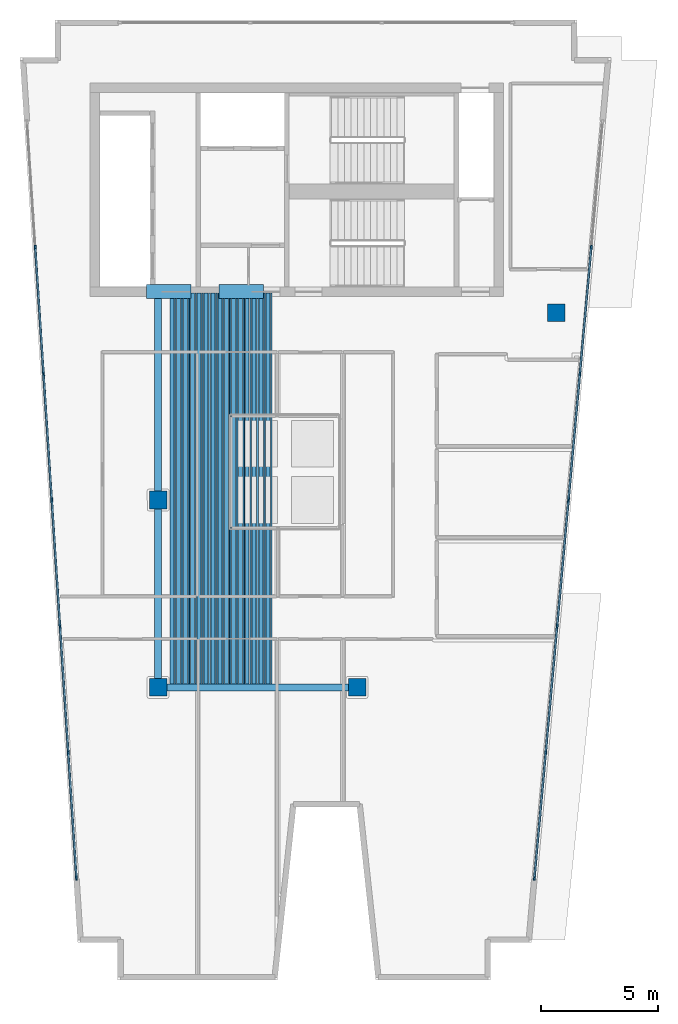
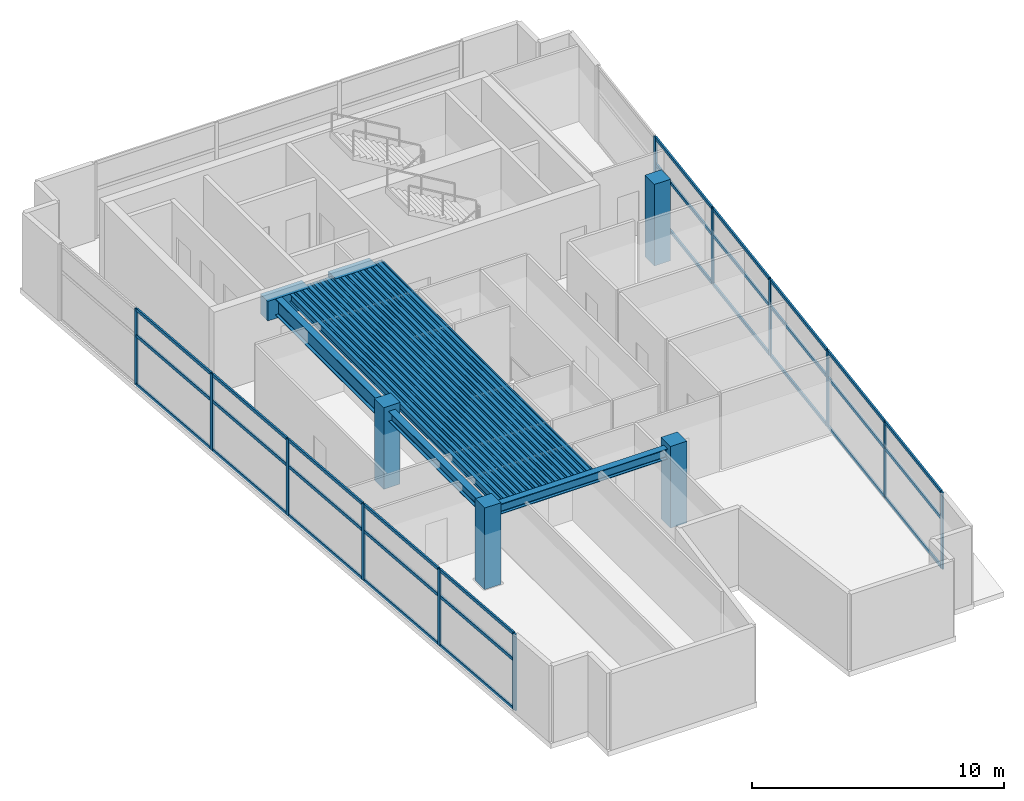
# One storey, part 1 of 7: 42 members, 35 beams, 4 columns, 2 elements without a shape of their own.
"""IFC4 building model written with IfcOpenShell, lengths in metres."""

from ifc_helpers import new_model, si_unit, direction, frame, origin, origin_2d, place, context, subcontext, project, spatial, rectangle, hollow_rectangle, i_section, extrude, material, layer, layer_set, material_profile, profile_set, type_object, element, aggregate, save


model = new_model("IFC4")

# Units and contexts
model_context = context("Model", 3, precision=1e-05, world=origin(), true_north=direction((0.0, 1.0)))
body_context = subcontext(model_context, "Body", "Model", "MODEL_VIEW")
ifc_project = project(units=[si_unit("LENGTHUNIT", "METRE"), si_unit("AREAUNIT", "SQUARE_METRE"), si_unit("VOLUMEUNIT", "CUBIC_METRE"), si_unit("PLANEANGLEUNIT", "RADIAN"), si_unit("MASSUNIT", "GRAM", prefix="KILO")], contexts=[model_context])

# Site, building, storey
site_placement = place(None, origin())
site = spatial("IfcSite", under=ifc_project, at=site_placement, CompositionType="ELEMENT")
building_placement = place(site_placement, origin())
building = spatial("IfcBuilding", under=site, at=building_placement, Name="Caeloran Harvest Quay", CompositionType="ELEMENT")
storey_placement = place(building_placement, frame((0.0, 0.0, 300.14990234375)))
storey = spatial("IfcBuildingStorey", under=building, at=storey_placement, Name="L72", CompositionType="ELEMENT", Elevation=300.14990234375)

# Columns
ifc_material_1 = material(Name="Concrete C60/75", Category="concrete")
ifc_material_profile_1 = material_profile(ifc_material_1, rectangle(XDim=0.75, YDim=0.75, at=origin_2d()), Name="RC 750x750")
ifc_profile_set_1 = profile_set([ifc_material_profile_1], Name="Concrete C60/75")
column_type = type_object("IfcColumnType", Name="COL-MC-5-RC_750x750", PredefinedType="COLUMN", material=ifc_profile_set_1)
for number, where, z_axis, x_axis, name in (
    (1, (8.5, 15.0, 0.0), (0.0, 0.0, 1.0), (1.0, 0.0, 0.0), "L72 Structural Column (8.5, 15.0)"),
    (2, (8.5, 23.0, 0.0), (0.0, 0.0, 1.0), (1.0, 0.0, 0.0), "L72 Structural Column (8.5, 23.0)"),
    (3, (17.0, 15.0, 0.0), (0.0, 0.0, 1.0), (1.0, 0.0, 0.0), "L72 Structural Column (17.0, 15.0)"),
    (4, (25.5, 31.0, 0.0), (0.0, 0.0, 1.0), (1.0, 0.0, 0.0), "L72 Structural Column (25.5, 31.0)"),
):
    element("IfcColumn", number, at=place(storey_placement, frame(where, z_axis=z_axis, x_axis=x_axis)), inside=storey, type_object=column_type, Name=name, PredefinedType="COLUMN", context=body_context, shape_type="SweptSolid", body=[
        extrude(rectangle(XDim=0.75, YDim=0.75, at=origin_2d()), origin(), (0.0, 0.0, 1.0), 3.9501953125),
    ])

# Beams
ifc_material_profile_2 = material_profile(ifc_material_1, rectangle(XDim=0.60009765625, YDim=0.949951171875, at=origin_2d()), Name="RC 600x950")
ifc_profile_set_2 = profile_set([ifc_material_profile_2], Name="Concrete C60/75")
beam_type_1 = type_object("IfcBeamType", Name="BM-CB-2-RC_600x950", PredefinedType="LINTEL", material=ifc_profile_set_2)
for number, where, z_axis, x_axis, name in (
    (5, (8.0, 31.89990234375, 3.22509765625), (1.0, 0.0, 0.0), (0.0, 1.0, 0.0), "L72 Core Coupling Beam 1"),
    (6, (11.10009765625, 31.89990234375, 3.22509765625), (1.0, 0.0, 0.0), (0.0, 1.0, 0.0), "L72 Core Coupling Beam 2"),
):
    element("IfcBeam", number, at=place(storey_placement, frame(where, z_axis=z_axis, x_axis=x_axis)), inside=storey, type_object=beam_type_1, Name=name, PredefinedType="LINTEL", context=body_context, shape_type="SweptSolid", body=[
        extrude(rectangle(XDim=0.60009765625, YDim=0.949951171875, at=origin_2d()), origin(), (0.0, 0.0, 1.0), 1.89990234375),
    ])
ifc_material_2 = material(Name="Steel S355J2", Category="steel")
ifc_material_profile_3 = material_profile(ifc_material_2, i_section(OverallWidth=0.300048828125, OverallDepth=0.800048828125, WebThickness=0.017578125, FlangeThickness=0.032958984375, FilletRadius=0.030029296875, at=origin_2d()), Name="HE 800 B")
ifc_profile_set_3 = profile_set([ifc_material_profile_3], Name="Steel S355J2")
beam_type_2 = type_object("IfcBeamType", Name="BM-PG-1-HE_800_B", PredefinedType="BEAM", material=ifc_profile_set_3)
beam_1_placement = place(storey_placement, frame((8.5, 23.0, 3.300048828125), z_axis=(0.0, 1.0, 0.0), x_axis=(-1.0, 0.0, 0.0)))
element("IfcBeam", 7, at=beam_1_placement, inside=storey, type_object=beam_type_2, Name="L72 Core South Tie Girder X=8.5", PredefinedType="BEAM", context=body_context, shape_type="SweptSolid", body=[
    extrude(i_section(OverallWidth=0.300048828125, OverallDepth=0.800048828125, WebThickness=0.017578125, FlangeThickness=0.032958984375, FilletRadius=0.030029296875, at=origin_2d()), origin(), (0.0, 0.0, 1.0), 8.85009765625),
])
ifc_material_profile_4 = material_profile(ifc_material_2, i_section(OverallWidth=0.300048828125, OverallDepth=0.5, WebThickness=0.014404296875, FlangeThickness=0.028076171875, FilletRadius=0.027099609375, at=origin_2d()), Name="HE 500 B")
ifc_profile_set_4 = profile_set([ifc_material_profile_4], Name="Steel S355J2")
beam_type_3 = type_object("IfcBeamType", Name="BM-PG-4-HE_500_B", PredefinedType="BEAM", material=ifc_profile_set_4)
beam_2_placement = place(storey_placement, frame((8.5, 15.0, 3.4501953125), z_axis=(1.0, 0.0, 0.0), x_axis=(0.0, 1.0, 0.0)))
element("IfcBeam", 8, at=beam_2_placement, inside=storey, type_object=beam_type_3, Name="L72 Primary East-West Girder Y=15.0", PredefinedType="BEAM", context=body_context, shape_type="SweptSolid", body=[
    extrude(i_section(OverallWidth=0.300048828125, OverallDepth=0.5, WebThickness=0.014404296875, FlangeThickness=0.028076171875, FilletRadius=0.027099609375, at=origin_2d()), origin(), (0.0, 0.0, 1.0), 8.5),
])
beam_3_placement = place(storey_placement, frame((8.5, 15.0, 3.4501953125), z_axis=(0.0, 1.0, 0.0), x_axis=(-1.0, 0.0, 0.0)))
element("IfcBeam", 9, at=beam_3_placement, inside=storey, type_object=beam_type_3, Name="L72 Primary North-South Girder X=8.5", PredefinedType="BEAM", context=body_context, shape_type="SweptSolid", body=[
    extrude(i_section(OverallWidth=0.300048828125, OverallDepth=0.5, WebThickness=0.014404296875, FlangeThickness=0.028076171875, FilletRadius=0.027099609375, at=origin_2d()), origin(), (0.0, 0.0, 1.0), 8.0),
])
ifc_material_profile_5 = material_profile(ifc_material_2, i_section(OverallWidth=0.169921875, OverallDepth=0.360107421875, WebThickness=0.008056640625, FlangeThickness=0.0126953125, FilletRadius=0.01806640625, at=origin_2d()), Name="IPE 360")
ifc_profile_set_5 = profile_set([ifc_material_profile_5], Name="Steel S355J2")
beam_type_4 = type_object("IfcBeamType", Name="BM-SB-5-IPE_360", PredefinedType="JOIST", material=ifc_profile_set_5)
for number, where, z_axis, x_axis, name in (
    (10, (9.086181640625, 15.14501953125, 3.52001953125), (0.0, 1.0, 0.0), (-1.0, 0.0, 0.0), "L72 Secondary Composite Joist"),
    (11, (9.37939453125, 15.14501953125, 3.52001953125), (0.0, 1.0, 0.0), (-1.0, 0.0, 0.0), "L72 Secondary Composite Joist"),
    (12, (9.67236328125, 15.14501953125, 3.52001953125), (0.0, 1.0, 0.0), (-1.0, 0.0, 0.0), "L72 Secondary Composite Joist"),
    (13, (9.965576171875, 15.14501953125, 3.52001953125), (0.0, 1.0, 0.0), (-1.0, 0.0, 0.0), "L72 Secondary Composite Joist"),
    (14, (10.258544921875, 15.14501953125, 3.52001953125), (0.0, 1.0, 0.0), (-1.0, 0.0, 0.0), "L72 Secondary Composite Joist"),
    (15, (10.5517578125, 15.14501953125, 3.52001953125), (0.0, 1.0, 0.0), (-1.0, 0.0, 0.0), "L72 Secondary Composite Joist"),
    (16, (10.8447265625, 15.14501953125, 3.52001953125), (0.0, 1.0, 0.0), (-1.0, 0.0, 0.0), "L72 Secondary Composite Joist"),
    (17, (11.137939453125, 15.14501953125, 3.52001953125), (0.0, 1.0, 0.0), (-1.0, 0.0, 0.0), "L72 Secondary Composite Joist"),
    (18, (11.430908203125, 15.14501953125, 3.52001953125), (0.0, 1.0, 0.0), (-1.0, 0.0, 0.0), "L72 Secondary Composite Joist"),
    (19, (11.72412109375, 15.14501953125, 3.52001953125), (0.0, 1.0, 0.0), (-1.0, 0.0, 0.0), "L72 Secondary Composite Joist"),
    (20, (12.01708984375, 15.14501953125, 3.52001953125), (0.0, 1.0, 0.0), (-1.0, 0.0, 0.0), "L72 Secondary Composite Joist"),
    (21, (12.310302734375, 15.14501953125, 3.52001953125), (0.0, 1.0, 0.0), (-1.0, 0.0, 0.0), "L72 Secondary Composite Joist"),
    (22, (12.603515625, 15.14501953125, 3.52001953125), (0.0, 1.0, 0.0), (-1.0, 0.0, 0.0), "L72 Secondary Composite Joist"),
    (23, (12.896484375, 15.14501953125, 3.52001953125), (0.0, 1.0, 0.0), (-1.0, 0.0, 0.0), "L72 Secondary Composite Joist"),
    (24, (13.189697265625, 15.14501953125, 3.52001953125), (0.0, 1.0, 0.0), (-1.0, 0.0, 0.0), "L72 Secondary Composite Joist"),
):
    element("IfcBeam", number, at=place(storey_placement, frame(where, z_axis=z_axis, x_axis=x_axis)), inside=storey, type_object=beam_type_4, Name=name, PredefinedType="JOIST", context=body_context, shape_type="SweptSolid", body=[
        extrude(i_section(OverallWidth=0.169921875, OverallDepth=0.360107421875, WebThickness=0.008056640625, FlangeThickness=0.0126953125, FilletRadius=0.01806640625, at=origin_2d()), origin(), (0.0, 0.0, 1.0), 16.705078125),
    ])
ifc_material_profile_6 = material_profile(ifc_material_2, hollow_rectangle(XDim=0.080078125, YDim=0.199951171875, WallThickness=0.006103515625, InnerFilletRadius=0.006103515625, OuterFilletRadius=0.009033203125, at=origin_2d()), Name="RHS 200x80x6")
ifc_profile_set_6 = profile_set([ifc_material_profile_6], Name="Steel S355J2")
beam_type_5 = type_object("IfcBeamType", Name="BM-SB-7-RHS_200x80x6", PredefinedType="JOIST", material=ifc_profile_set_6)
for number, where, z_axis, x_axis, name in (
    (25, (9.23291015625, 15.14501953125, 3.60009765625), (0.0, 1.0, 0.0), (-1.0, 0.0, 0.0), "L72 Secondary Composite Joist"),
    (26, (9.52587890625, 15.14501953125, 3.60009765625), (0.0, 1.0, 0.0), (-1.0, 0.0, 0.0), "L72 Secondary Composite Joist"),
    (27, (9.819091796875, 15.14501953125, 3.60009765625), (0.0, 1.0, 0.0), (-1.0, 0.0, 0.0), "L72 Secondary Composite Joist"),
    (28, (10.112060546875, 15.14501953125, 3.60009765625), (0.0, 1.0, 0.0), (-1.0, 0.0, 0.0), "L72 Secondary Composite Joist"),
    (29, (10.4052734375, 15.14501953125, 3.60009765625), (0.0, 1.0, 0.0), (-1.0, 0.0, 0.0), "L72 Secondary Composite Joist"),
    (30, (10.6982421875, 15.14501953125, 3.60009765625), (0.0, 1.0, 0.0), (-1.0, 0.0, 0.0), "L72 Secondary Composite Joist"),
    (31, (10.991455078125, 15.14501953125, 3.60009765625), (0.0, 1.0, 0.0), (-1.0, 0.0, 0.0), "L72 Secondary Composite Joist"),
    (32, (11.284423828125, 15.14501953125, 3.60009765625), (0.0, 1.0, 0.0), (-1.0, 0.0, 0.0), "L72 Secondary Composite Joist"),
    (33, (11.57763671875, 15.14501953125, 3.60009765625), (0.0, 1.0, 0.0), (-1.0, 0.0, 0.0), "L72 Secondary Composite Joist"),
    (34, (11.87060546875, 15.14501953125, 3.60009765625), (0.0, 1.0, 0.0), (-1.0, 0.0, 0.0), "L72 Secondary Composite Joist"),
    (35, (12.163818359375, 15.14501953125, 3.60009765625), (0.0, 1.0, 0.0), (-1.0, 0.0, 0.0), "L72 Secondary Composite Joist"),
    (36, (12.456787109375, 15.14501953125, 3.60009765625), (0.0, 1.0, 0.0), (-1.0, 0.0, 0.0), "L72 Secondary Composite Joist"),
    (37, (12.75, 15.14501953125, 3.60009765625), (0.0, 1.0, 0.0), (-1.0, 0.0, 0.0), "L72 Secondary Composite Joist"),
    (38, (13.043212890625, 15.14501953125, 3.60009765625), (0.0, 1.0, 0.0), (-1.0, 0.0, 0.0), "L72 Secondary Composite Joist"),
    (39, (13.336181640625, 15.14501953125, 3.60009765625), (0.0, 1.0, 0.0), (-1.0, 0.0, 0.0), "L72 Secondary Composite Joist"),
):
    element("IfcBeam", number, at=place(storey_placement, frame(where, z_axis=z_axis, x_axis=x_axis)), inside=storey, type_object=beam_type_5, Name=name, PredefinedType="JOIST", context=body_context, shape_type="SweptSolid", body=[
        extrude(hollow_rectangle(XDim=0.080078125, YDim=0.199951171875, WallThickness=0.006103515625, InnerFilletRadius=0.006103515625, OuterFilletRadius=0.009033203125, at=origin_2d()), origin(), (0.0, 0.0, 1.0), 16.705078125),
    ])

# Curtain wall, members
ifc_material_3 = material(Name="Aluminium 6063-T6 and Low-E Glazing", Category="aluminium")
ifc_layer = layer(ifc_material_3, 0.239990234375, Name="Aluminium 6063-T6 and Low-E Glazing")
ifc_layer_set = layer_set([ifc_layer], Name="Aluminium 6063-T6 and Low-E Glazing")
curtain_wall_type = type_object("IfcCurtainWallType", Name="CW-SYS-CW-7", PredefinedType="USERDEFINED", material=ifc_layer_set)
curtain_wall_1_placement = place(storey_placement, origin())
curtain_wall_1 = element("IfcCurtainWall", 40, at=curtain_wall_1_placement, inside=storey, type_object=curtain_wall_type, Name="L72 Unitised Curtain Wall CW-7 Run 3", ObjectType="CURTAIN_WALL", PredefinedType="USERDEFINED")
ifc_material_4 = material(Name="Aluminium 6063-T6", Category="aluminium")
ifc_material_profile_7 = material_profile(ifc_material_4, rectangle(XDim=0.080078125, YDim=0.179931640625, at=origin_2d()), Name="CW-MULLION-180")
ifc_profile_set_7 = profile_set([ifc_material_profile_7], Name="Aluminium 6063-T6")
member_type_1 = type_object("IfcMemberType", Name="CW-MULLION-180", PredefinedType="MULLION", material=ifc_profile_set_7)
member_1_placement = place(storey_placement, frame((5.013427734375, 6.8544921875, 0.0), z_axis=(0.0, 0.0, 1.0), x_axis=(-0.997874401106, -0.065166552901, 0.0)))
member_1 = element("IfcMember", 41, at=member_1_placement, type_object=member_type_1, Name="CW-7 mullion 1", PredefinedType="MULLION", context=body_context, shape_type="SweptSolid", body=[
    extrude(rectangle(XDim=0.080078125, YDim=0.179931640625, at=origin_2d()), origin(), (0.0, 0.0, 1.0), 3.7001953125),
])
member_2_placement = place(storey_placement, frame((4.66357421875, 12.209716796875, 0.0), z_axis=(0.0, 0.0, 1.0), x_axis=(-0.997874401106, -0.065166552901, 0.0)))
member_2 = element("IfcMember", 42, at=member_2_placement, type_object=member_type_1, Name="CW-7 mullion 2", PredefinedType="MULLION", context=body_context, shape_type="SweptSolid", body=[
    extrude(rectangle(XDim=0.080078125, YDim=0.179931640625, at=origin_2d()), origin(), (0.0, 0.0, 1.0), 3.7001953125),
])
member_3_placement = place(storey_placement, frame((4.311279296875, 17.604736328125, 0.0), z_axis=(0.0, 0.0, 1.0), x_axis=(-0.997874401106, -0.065166552901, 0.0)))
member_3 = element("IfcMember", 43, at=member_3_placement, type_object=member_type_1, Name="CW-7 mullion 3", PredefinedType="MULLION", context=body_context, shape_type="SweptSolid", body=[
    extrude(rectangle(XDim=0.080078125, YDim=0.179931640625, at=origin_2d()), origin(), (0.0, 0.0, 1.0), 3.7001953125),
])
member_4_placement = place(storey_placement, frame((3.958984375, 23.0, 0.0), z_axis=(0.0, 0.0, 1.0), x_axis=(-0.997874401106, -0.065166552901, 0.0)))
member_4 = element("IfcMember", 44, at=member_4_placement, type_object=member_type_1, Name="CW-7 mullion 4", PredefinedType="MULLION", context=body_context, shape_type="SweptSolid", body=[
    extrude(rectangle(XDim=0.080078125, YDim=0.179931640625, at=origin_2d()), origin(), (0.0, 0.0, 1.0), 3.7001953125),
])
member_5_placement = place(storey_placement, frame((3.606689453125, 28.395263671875, 0.0), z_axis=(0.0, 0.0, 1.0), x_axis=(-0.997874401106, -0.065166552901, 0.0)))
member_5 = element("IfcMember", 45, at=member_5_placement, type_object=member_type_1, Name="CW-7 mullion 5", PredefinedType="MULLION", context=body_context, shape_type="SweptSolid", body=[
    extrude(rectangle(XDim=0.080078125, YDim=0.179931640625, at=origin_2d()), origin(), (0.0, 0.0, 1.0), 3.7001953125),
])
member_6_placement = place(storey_placement, frame((3.25439453125, 33.790283203125, 0.0), z_axis=(0.0, 0.0, 1.0), x_axis=(-0.997874401106, -0.065166552901, 0.0)))
member_6 = element("IfcMember", 46, at=member_6_placement, type_object=member_type_1, Name="CW-7 mullion 6", PredefinedType="MULLION", context=body_context, shape_type="SweptSolid", body=[
    extrude(rectangle(XDim=0.080078125, YDim=0.179931640625, at=origin_2d()), origin(), (0.0, 0.0, 1.0), 3.7001953125),
])

curtain_wall_2_placement = place(storey_placement, origin())
curtain_wall_2 = element("IfcCurtainWall", 47, at=curtain_wall_2_placement, inside=storey, type_object=curtain_wall_type, Name="L72 Unitised Curtain Wall CW-7 Run 9", ObjectType="CURTAIN_WALL", PredefinedType="USERDEFINED")
member_7_placement = place(storey_placement, frame((27.004150390625, 33.793701171875, 0.0), z_axis=(0.0, 0.0, 1.0), x_axis=(0.995957918918, -0.089821065146, 0.0)))
member_7 = element("IfcMember", 48, at=member_7_placement, type_object=member_type_1, Name="CW-7 mullion 2", PredefinedType="MULLION", context=body_context, shape_type="SweptSolid", body=[
    extrude(rectangle(XDim=0.080078125, YDim=0.179931640625, at=origin_2d()), origin(), (0.0, 0.0, 1.0), 3.7001953125),
])
member_8_placement = place(storey_placement, frame((26.517578125, 28.396728515625, 0.0), z_axis=(0.0, 0.0, 1.0), x_axis=(0.995957918918, -0.089821065146, 0.0)))
member_8 = element("IfcMember", 49, at=member_8_placement, type_object=member_type_1, Name="CW-7 mullion 3", PredefinedType="MULLION", context=body_context, shape_type="SweptSolid", body=[
    extrude(rectangle(XDim=0.080078125, YDim=0.179931640625, at=origin_2d()), origin(), (0.0, 0.0, 1.0), 3.7001953125),
])
member_9_placement = place(storey_placement, frame((26.03076171875, 23.0, 0.0), z_axis=(0.0, 0.0, 1.0), x_axis=(0.995957918918, -0.089821065146, 0.0)))
member_9 = element("IfcMember", 50, at=member_9_placement, type_object=member_type_1, Name="CW-7 mullion 4", PredefinedType="MULLION", context=body_context, shape_type="SweptSolid", body=[
    extrude(rectangle(XDim=0.080078125, YDim=0.179931640625, at=origin_2d()), origin(), (0.0, 0.0, 1.0), 3.7001953125),
])
member_10_placement = place(storey_placement, frame((25.5439453125, 17.603271484375, 0.0), z_axis=(0.0, 0.0, 1.0), x_axis=(0.995957918918, -0.089821065146, 0.0)))
member_10 = element("IfcMember", 51, at=member_10_placement, type_object=member_type_1, Name="CW-7 mullion 5", PredefinedType="MULLION", context=body_context, shape_type="SweptSolid", body=[
    extrude(rectangle(XDim=0.080078125, YDim=0.179931640625, at=origin_2d()), origin(), (0.0, 0.0, 1.0), 3.7001953125),
])
member_11_placement = place(storey_placement, frame((25.057373046875, 12.206298828125, 0.0), z_axis=(0.0, 0.0, 1.0), x_axis=(0.995957918918, -0.089821065146, 0.0)))
member_11 = element("IfcMember", 52, at=member_11_placement, type_object=member_type_1, Name="CW-7 mullion 6", PredefinedType="MULLION", context=body_context, shape_type="SweptSolid", body=[
    extrude(rectangle(XDim=0.080078125, YDim=0.179931640625, at=origin_2d()), origin(), (0.0, 0.0, 1.0), 3.7001953125),
])
member_12_placement = place(storey_placement, frame((24.57421875, 6.849365234375, 0.0), z_axis=(0.0, 0.0, 1.0), x_axis=(0.995957918918, -0.089821065146, 0.0)))
member_12 = element("IfcMember", 53, at=member_12_placement, type_object=member_type_1, Name="CW-7 mullion 7", PredefinedType="MULLION", context=body_context, shape_type="SweptSolid", body=[
    extrude(rectangle(XDim=0.080078125, YDim=0.179931640625, at=origin_2d()), origin(), (0.0, 0.0, 1.0), 3.7001953125),
])

# Member
ifc_material_profile_8 = material_profile(ifc_material_4, rectangle(XDim=0.080078125, YDim=0.14990234375, at=origin_2d()), Name="CW-TRANSOM-150")
ifc_profile_set_8 = profile_set([ifc_material_profile_8], Name="Aluminium 6063-T6")
member_type_2 = type_object("IfcMemberType", Name="CW-TRANSOM-150", PredefinedType="USERDEFINED", material=ifc_profile_set_8)
member_13_placement = place(storey_placement, frame((5.0107421875, 6.894287109375, 0.0400390625), z_axis=(-0.065161110765, 0.997874756492, 0.0), x_axis=(-0.997874756492, -0.065161110765, 0.0)))
member_13 = element("IfcMember", 54, at=member_13_placement, type_object=member_type_2, Name="CW-7 transom 1.1", ObjectType="TRANSOM", PredefinedType="USERDEFINED", context=body_context, shape_type="SweptSolid", body=[
    extrude(rectangle(XDim=0.080078125, YDim=0.14990234375, at=origin_2d()), origin(), (0.0, 0.0, 1.0), 5.28662109375),
])

member_14_placement = place(storey_placement, frame((5.0107421875, 6.894287109375, 2.400146484375), z_axis=(-0.065161110765, 0.997874756492, 0.0), x_axis=(-0.997874756492, -0.065161110765, 0.0)))
member_14 = element("IfcMember", 55, at=member_14_placement, type_object=member_type_2, Name="CW-7 transom 1.2", ObjectType="TRANSOM", PredefinedType="USERDEFINED", context=body_context, shape_type="SweptSolid", body=[
    extrude(rectangle(XDim=0.080078125, YDim=0.14990234375, at=origin_2d()), origin(), (0.0, 0.0, 1.0), 5.28662109375),
])

member_15_placement = place(storey_placement, frame((5.0107421875, 6.894287109375, 3.66015625), z_axis=(-0.065161110765, 0.997874756492, 0.0), x_axis=(-0.997874756492, -0.065161110765, 0.0)))
member_15 = element("IfcMember", 56, at=member_15_placement, type_object=member_type_2, Name="CW-7 transom 1.3", ObjectType="TRANSOM", PredefinedType="USERDEFINED", context=body_context, shape_type="SweptSolid", body=[
    extrude(rectangle(XDim=0.080078125, YDim=0.14990234375, at=origin_2d()), origin(), (0.0, 0.0, 1.0), 5.28662109375),
])

member_16_placement = place(storey_placement, frame((4.6611328125, 12.24951171875, 0.0400390625), z_axis=(-0.065174383207, 0.997873889714, 0.0), x_axis=(-0.997873889714, -0.065174383207, 0.0)))
member_16 = element("IfcMember", 57, at=member_16_placement, type_object=member_type_2, Name="CW-7 transom 2.1", ObjectType="TRANSOM", PredefinedType="USERDEFINED", context=body_context, shape_type="SweptSolid", body=[
    extrude(rectangle(XDim=0.080078125, YDim=0.14990234375, at=origin_2d()), origin(), (0.0, 0.0, 1.0), 5.32666015625),
])

member_17_placement = place(storey_placement, frame((4.6611328125, 12.24951171875, 2.400146484375), z_axis=(-0.065174383207, 0.997873889714, 0.0), x_axis=(-0.997873889714, -0.065174383207, 0.0)))
member_17 = element("IfcMember", 58, at=member_17_placement, type_object=member_type_2, Name="CW-7 transom 2.2", ObjectType="TRANSOM", PredefinedType="USERDEFINED", context=body_context, shape_type="SweptSolid", body=[
    extrude(rectangle(XDim=0.080078125, YDim=0.14990234375, at=origin_2d()), origin(), (0.0, 0.0, 1.0), 5.32666015625),
])

member_18_placement = place(storey_placement, frame((4.6611328125, 12.24951171875, 3.66015625), z_axis=(-0.065174383207, 0.997873889714, 0.0), x_axis=(-0.997873889714, -0.065174383207, 0.0)))
member_18 = element("IfcMember", 59, at=member_18_placement, type_object=member_type_2, Name="CW-7 transom 2.3", ObjectType="TRANSOM", PredefinedType="USERDEFINED", context=body_context, shape_type="SweptSolid", body=[
    extrude(rectangle(XDim=0.080078125, YDim=0.14990234375, at=origin_2d()), origin(), (0.0, 0.0, 1.0), 5.32666015625),
])

member_19_placement = place(storey_placement, frame((4.308837890625, 17.644775390625, 0.0400390625), z_axis=(-0.065174383207, 0.997873889714, 0.0), x_axis=(-0.997873889714, -0.065174383207, 0.0)))
member_19 = element("IfcMember", 60, at=member_19_placement, type_object=member_type_2, Name="CW-7 transom 3.1", ObjectType="TRANSOM", PredefinedType="USERDEFINED", context=body_context, shape_type="SweptSolid", body=[
    extrude(rectangle(XDim=0.080078125, YDim=0.14990234375, at=origin_2d()), origin(), (0.0, 0.0, 1.0), 5.32666015625),
])

member_20_placement = place(storey_placement, frame((4.308837890625, 17.644775390625, 2.400146484375), z_axis=(-0.065174383207, 0.997873889714, 0.0), x_axis=(-0.997873889714, -0.065174383207, 0.0)))
member_20 = element("IfcMember", 61, at=member_20_placement, type_object=member_type_2, Name="CW-7 transom 3.2", ObjectType="TRANSOM", PredefinedType="USERDEFINED", context=body_context, shape_type="SweptSolid", body=[
    extrude(rectangle(XDim=0.080078125, YDim=0.14990234375, at=origin_2d()), origin(), (0.0, 0.0, 1.0), 5.32666015625),
])

member_21_placement = place(storey_placement, frame((4.308837890625, 17.644775390625, 3.66015625), z_axis=(-0.065174383207, 0.997873889714, 0.0), x_axis=(-0.997873889714, -0.065174383207, 0.0)))
member_21 = element("IfcMember", 62, at=member_21_placement, type_object=member_type_2, Name="CW-7 transom 3.3", ObjectType="TRANSOM", PredefinedType="USERDEFINED", context=body_context, shape_type="SweptSolid", body=[
    extrude(rectangle(XDim=0.080078125, YDim=0.14990234375, at=origin_2d()), origin(), (0.0, 0.0, 1.0), 5.32666015625),
])

member_22_placement = place(storey_placement, frame((3.956298828125, 23.039794921875, 0.0400390625), z_axis=(-0.065128744787, 0.99787686946, 0.0), x_axis=(-0.99787686946, -0.065128744787, 0.0)))
member_22 = element("IfcMember", 63, at=member_22_placement, type_object=member_type_2, Name="CW-7 transom 4.1", ObjectType="TRANSOM", PredefinedType="USERDEFINED", context=body_context, shape_type="SweptSolid", body=[
    extrude(rectangle(XDim=0.080078125, YDim=0.14990234375, at=origin_2d()), origin(), (0.0, 0.0, 1.0), 5.32666015625),
])

member_23_placement = place(storey_placement, frame((3.956298828125, 23.039794921875, 2.400146484375), z_axis=(-0.065128744787, 0.99787686946, 0.0), x_axis=(-0.99787686946, -0.065128744787, 0.0)))
member_23 = element("IfcMember", 64, at=member_23_placement, type_object=member_type_2, Name="CW-7 transom 4.2", ObjectType="TRANSOM", PredefinedType="USERDEFINED", context=body_context, shape_type="SweptSolid", body=[
    extrude(rectangle(XDim=0.080078125, YDim=0.14990234375, at=origin_2d()), origin(), (0.0, 0.0, 1.0), 5.32666015625),
])

member_24_placement = place(storey_placement, frame((3.956298828125, 23.039794921875, 3.66015625), z_axis=(-0.065128744787, 0.99787686946, 0.0), x_axis=(-0.99787686946, -0.065128744787, 0.0)))
member_24 = element("IfcMember", 65, at=member_24_placement, type_object=member_type_2, Name="CW-7 transom 4.3", ObjectType="TRANSOM", PredefinedType="USERDEFINED", context=body_context, shape_type="SweptSolid", body=[
    extrude(rectangle(XDim=0.080078125, YDim=0.14990234375, at=origin_2d()), origin(), (0.0, 0.0, 1.0), 5.32666015625),
])

member_25_placement = place(storey_placement, frame((3.60400390625, 28.43505859375, 0.0400390625), z_axis=(-0.065174383207, 0.997873889714, 0.0), x_axis=(-0.997873889714, -0.065174383207, 0.0)))
member_25 = element("IfcMember", 66, at=member_25_placement, type_object=member_type_2, Name="CW-7 transom 5.1", ObjectType="TRANSOM", PredefinedType="USERDEFINED", context=body_context, shape_type="SweptSolid", body=[
    extrude(rectangle(XDim=0.080078125, YDim=0.14990234375, at=origin_2d()), origin(), (0.0, 0.0, 1.0), 5.32666015625),
])

member_26_placement = place(storey_placement, frame((3.60400390625, 28.43505859375, 2.400146484375), z_axis=(-0.065174383207, 0.997873889714, 0.0), x_axis=(-0.997873889714, -0.065174383207, 0.0)))
member_26 = element("IfcMember", 67, at=member_26_placement, type_object=member_type_2, Name="CW-7 transom 5.2", ObjectType="TRANSOM", PredefinedType="USERDEFINED", context=body_context, shape_type="SweptSolid", body=[
    extrude(rectangle(XDim=0.080078125, YDim=0.14990234375, at=origin_2d()), origin(), (0.0, 0.0, 1.0), 5.32666015625),
])

member_27_placement = place(storey_placement, frame((3.60400390625, 28.43505859375, 3.66015625), z_axis=(-0.065174383207, 0.997873889714, 0.0), x_axis=(-0.997873889714, -0.065174383207, 0.0)))
member_27 = element("IfcMember", 68, at=member_27_placement, type_object=member_type_2, Name="CW-7 transom 5.3", ObjectType="TRANSOM", PredefinedType="USERDEFINED", context=body_context, shape_type="SweptSolid", body=[
    extrude(rectangle(XDim=0.080078125, YDim=0.14990234375, at=origin_2d()), origin(), (0.0, 0.0, 1.0), 5.32666015625),
])

aggregate(curtain_wall_1, [member_1, member_2, member_3, member_4, member_5, member_6, member_13, member_14, member_15, member_16, member_17, member_18, member_19, member_20, member_21, member_22, member_23, member_24, member_25, member_26, member_27])

member_28_placement = place(storey_placement, frame((27.00048828125, 33.75390625, 0.0400390625), z_axis=(-0.089814159323, -0.9959585417, 0.0), x_axis=(0.9959585417, -0.089814159323, 0.0)))
member_28 = element("IfcMember", 69, at=member_28_placement, type_object=member_type_2, Name="CW-7 transom 2.1", ObjectType="TRANSOM", PredefinedType="USERDEFINED", context=body_context, shape_type="SweptSolid", body=[
    extrude(rectangle(XDim=0.080078125, YDim=0.14990234375, at=origin_2d()), origin(), (0.0, 0.0, 1.0), 5.338623046875),
])

member_29_placement = place(storey_placement, frame((27.00048828125, 33.75390625, 2.400146484375), z_axis=(-0.089814159323, -0.9959585417, 0.0), x_axis=(0.9959585417, -0.089814159323, 0.0)))
member_29 = element("IfcMember", 70, at=member_29_placement, type_object=member_type_2, Name="CW-7 transom 2.2", ObjectType="TRANSOM", PredefinedType="USERDEFINED", context=body_context, shape_type="SweptSolid", body=[
    extrude(rectangle(XDim=0.080078125, YDim=0.14990234375, at=origin_2d()), origin(), (0.0, 0.0, 1.0), 5.338623046875),
])

member_30_placement = place(storey_placement, frame((27.00048828125, 33.75390625, 3.66015625), z_axis=(-0.089814159323, -0.9959585417, 0.0), x_axis=(0.9959585417, -0.089814159323, 0.0)))
member_30 = element("IfcMember", 71, at=member_30_placement, type_object=member_type_2, Name="CW-7 transom 2.3", ObjectType="TRANSOM", PredefinedType="USERDEFINED", context=body_context, shape_type="SweptSolid", body=[
    extrude(rectangle(XDim=0.080078125, YDim=0.14990234375, at=origin_2d()), origin(), (0.0, 0.0, 1.0), 5.338623046875),
])

member_31_placement = place(storey_placement, frame((26.513916015625, 28.35693359375, 0.0400390625), z_axis=(-0.089814159323, -0.9959585417, 0.0), x_axis=(0.9959585417, -0.089814159323, 0.0)))
member_31 = element("IfcMember", 72, at=member_31_placement, type_object=member_type_2, Name="CW-7 transom 3.1", ObjectType="TRANSOM", PredefinedType="USERDEFINED", context=body_context, shape_type="SweptSolid", body=[
    extrude(rectangle(XDim=0.080078125, YDim=0.14990234375, at=origin_2d()), origin(), (0.0, 0.0, 1.0), 5.338623046875),
])

member_32_placement = place(storey_placement, frame((26.513916015625, 28.35693359375, 2.400146484375), z_axis=(-0.089814159323, -0.9959585417, 0.0), x_axis=(0.9959585417, -0.089814159323, 0.0)))
member_32 = element("IfcMember", 73, at=member_32_placement, type_object=member_type_2, Name="CW-7 transom 3.2", ObjectType="TRANSOM", PredefinedType="USERDEFINED", context=body_context, shape_type="SweptSolid", body=[
    extrude(rectangle(XDim=0.080078125, YDim=0.14990234375, at=origin_2d()), origin(), (0.0, 0.0, 1.0), 5.338623046875),
])

member_33_placement = place(storey_placement, frame((26.513916015625, 28.35693359375, 3.66015625), z_axis=(-0.089814159323, -0.9959585417, 0.0), x_axis=(0.9959585417, -0.089814159323, 0.0)))
member_33 = element("IfcMember", 74, at=member_33_placement, type_object=member_type_2, Name="CW-7 transom 3.3", ObjectType="TRANSOM", PredefinedType="USERDEFINED", context=body_context, shape_type="SweptSolid", body=[
    extrude(rectangle(XDim=0.080078125, YDim=0.14990234375, at=origin_2d()), origin(), (0.0, 0.0, 1.0), 5.338623046875),
])

member_34_placement = place(storey_placement, frame((26.027099609375, 22.960205078125, 0.0400390625), z_axis=(-0.089814159323, -0.9959585417, 0.0), x_axis=(0.9959585417, -0.089814159323, 0.0)))
member_34 = element("IfcMember", 75, at=member_34_placement, type_object=member_type_2, Name="CW-7 transom 4.1", ObjectType="TRANSOM", PredefinedType="USERDEFINED", context=body_context, shape_type="SweptSolid", body=[
    extrude(rectangle(XDim=0.080078125, YDim=0.14990234375, at=origin_2d()), origin(), (0.0, 0.0, 1.0), 5.338623046875),
])

member_35_placement = place(storey_placement, frame((26.027099609375, 22.960205078125, 2.400146484375), z_axis=(-0.089814159323, -0.9959585417, 0.0), x_axis=(0.9959585417, -0.089814159323, 0.0)))
member_35 = element("IfcMember", 76, at=member_35_placement, type_object=member_type_2, Name="CW-7 transom 4.2", ObjectType="TRANSOM", PredefinedType="USERDEFINED", context=body_context, shape_type="SweptSolid", body=[
    extrude(rectangle(XDim=0.080078125, YDim=0.14990234375, at=origin_2d()), origin(), (0.0, 0.0, 1.0), 5.338623046875),
])

member_36_placement = place(storey_placement, frame((26.027099609375, 22.960205078125, 3.66015625), z_axis=(-0.089814159323, -0.9959585417, 0.0), x_axis=(0.9959585417, -0.089814159323, 0.0)))
member_36 = element("IfcMember", 77, at=member_36_placement, type_object=member_type_2, Name="CW-7 transom 4.3", ObjectType="TRANSOM", PredefinedType="USERDEFINED", context=body_context, shape_type="SweptSolid", body=[
    extrude(rectangle(XDim=0.080078125, YDim=0.14990234375, at=origin_2d()), origin(), (0.0, 0.0, 1.0), 5.338623046875),
])

member_37_placement = place(storey_placement, frame((25.54052734375, 17.563232421875, 0.0400390625), z_axis=(-0.089859520381, -0.995954450061, 0.0), x_axis=(0.995954450061, -0.089859520381, 0.0)))
member_37 = element("IfcMember", 78, at=member_37_placement, type_object=member_type_2, Name="CW-7 transom 5.1", ObjectType="TRANSOM", PredefinedType="USERDEFINED", context=body_context, shape_type="SweptSolid", body=[
    extrude(rectangle(XDim=0.080078125, YDim=0.14990234375, at=origin_2d()), origin(), (0.0, 0.0, 1.0), 5.338623046875),
])

member_38_placement = place(storey_placement, frame((25.54052734375, 17.563232421875, 2.400146484375), z_axis=(-0.089859520381, -0.995954450061, 0.0), x_axis=(0.995954450061, -0.089859520381, 0.0)))
member_38 = element("IfcMember", 79, at=member_38_placement, type_object=member_type_2, Name="CW-7 transom 5.2", ObjectType="TRANSOM", PredefinedType="USERDEFINED", context=body_context, shape_type="SweptSolid", body=[
    extrude(rectangle(XDim=0.080078125, YDim=0.14990234375, at=origin_2d()), origin(), (0.0, 0.0, 1.0), 5.338623046875),
])

member_39_placement = place(storey_placement, frame((25.54052734375, 17.563232421875, 3.66015625), z_axis=(-0.089859520381, -0.995954450061, 0.0), x_axis=(0.995954450061, -0.089859520381, 0.0)))
member_39 = element("IfcMember", 80, at=member_39_placement, type_object=member_type_2, Name="CW-7 transom 5.3", ObjectType="TRANSOM", PredefinedType="USERDEFINED", context=body_context, shape_type="SweptSolid", body=[
    extrude(rectangle(XDim=0.080078125, YDim=0.14990234375, at=origin_2d()), origin(), (0.0, 0.0, 1.0), 5.338623046875),
])

member_40_placement = place(storey_placement, frame((25.0537109375, 12.16650390625, 0.0400390625), z_axis=(-0.089800407778, -0.995959781699, 0.0), x_axis=(0.995959781699, -0.089800407778, 0.0)))
member_40 = element("IfcMember", 81, at=member_40_placement, type_object=member_type_2, Name="CW-7 transom 6.1", ObjectType="TRANSOM", PredefinedType="USERDEFINED", context=body_context, shape_type="SweptSolid", body=[
    extrude(rectangle(XDim=0.080078125, YDim=0.14990234375, at=origin_2d()), origin(), (0.0, 0.0, 1.0), 5.298828125),
])

member_41_placement = place(storey_placement, frame((25.0537109375, 12.16650390625, 2.400146484375), z_axis=(-0.089800407778, -0.995959781699, 0.0), x_axis=(0.995959781699, -0.089800407778, 0.0)))
member_41 = element("IfcMember", 82, at=member_41_placement, type_object=member_type_2, Name="CW-7 transom 6.2", ObjectType="TRANSOM", PredefinedType="USERDEFINED", context=body_context, shape_type="SweptSolid", body=[
    extrude(rectangle(XDim=0.080078125, YDim=0.14990234375, at=origin_2d()), origin(), (0.0, 0.0, 1.0), 5.298828125),
])

member_42_placement = place(storey_placement, frame((25.0537109375, 12.16650390625, 3.66015625), z_axis=(-0.089800407778, -0.995959781699, 0.0), x_axis=(0.995959781699, -0.089800407778, 0.0)))
member_42 = element("IfcMember", 83, at=member_42_placement, type_object=member_type_2, Name="CW-7 transom 6.3", ObjectType="TRANSOM", PredefinedType="USERDEFINED", context=body_context, shape_type="SweptSolid", body=[
    extrude(rectangle(XDim=0.080078125, YDim=0.14990234375, at=origin_2d()), origin(), (0.0, 0.0, 1.0), 5.298828125),
])

aggregate(curtain_wall_2, [member_7, member_8, member_9, member_10, member_11, member_12, member_28, member_29, member_30, member_31, member_32, member_33, member_34, member_35, member_36, member_37, member_38, member_39, member_40, member_41, member_42])

save(model, "model.ifc")
